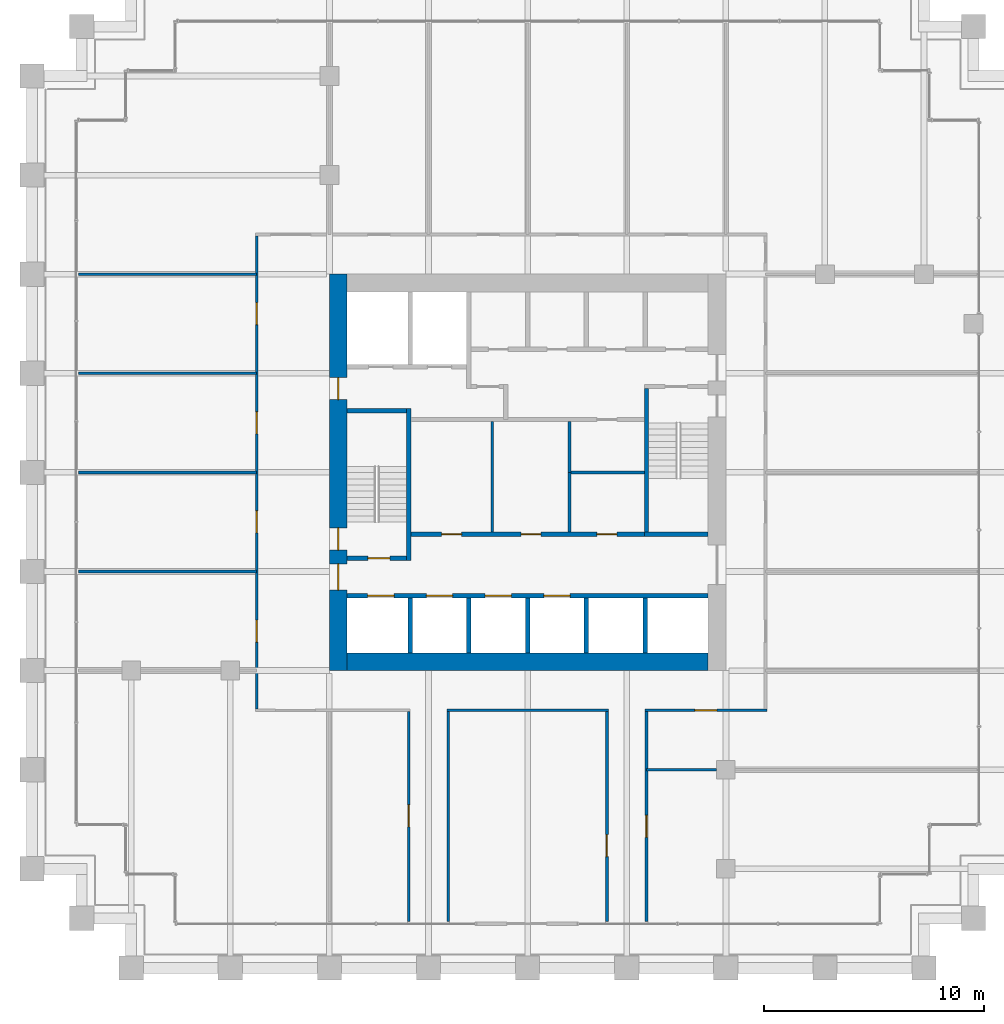
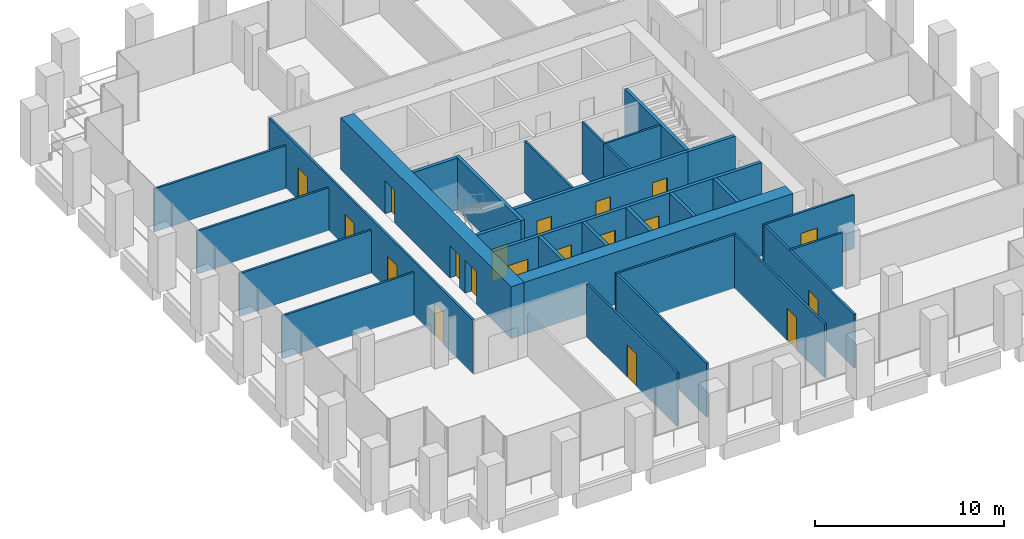
# One storey, part 50 of 56: 30 walls, 19 doors, 19 openings.
"""IFC4 building model written with IfcOpenShell, lengths in metres."""

from ifc_helpers import new_model, si_unit, direction, frame, frame_2d, origin, place, context, subcontext, project, spatial, rectangle, extrude, material, layer, layer_set, type_object, element, fill, save


model = new_model("IFC4")

# Units and contexts
model_context = context("Model", 3, precision=1e-05, world=origin(), true_north=direction((0.0, 1.0)))
body_context = subcontext(model_context, "Body", "Model", "MODEL_VIEW")
ifc_project = project(units=[si_unit("LENGTHUNIT", "METRE"), si_unit("AREAUNIT", "SQUARE_METRE"), si_unit("VOLUMEUNIT", "CUBIC_METRE"), si_unit("PLANEANGLEUNIT", "RADIAN"), si_unit("MASSUNIT", "GRAM", prefix="KILO")], contexts=[model_context])

# Site, building, storey
site_placement = place(None, origin())
site = spatial("IfcSite", under=ifc_project, at=site_placement, CompositionType="ELEMENT")
building_placement = place(site_placement, origin())
building = spatial("IfcBuilding", under=site, at=building_placement, Name="Altepetl Exchange Towers", CompositionType="ELEMENT")
storey_placement = place(building_placement, frame((0.0, 0.0, 76.199951171875)))
storey = spatial("IfcBuildingStorey", under=building, at=storey_placement, Name="L18", CompositionType="ELEMENT", Elevation=76.199951171875)

# Wall
ifc_material_1 = material(Name="Concrete C70/85", Category="concrete")
ifc_layer_1 = layer(ifc_material_1, 0.800048828125)
ifc_layer_set_1 = layer_set([ifc_layer_1], Name="Concrete C70/85")
wall_type_1 = type_object("IfcWallType", Name="Core wall 800 reinforced concrete", PredefinedType="SHEAR", material=ifc_layer_set_1)
wall_1_placement = place(storey_placement, frame((41.300048828125, 40.89990234375, 0.0)))
element("IfcWall", 1, at=wall_1_placement, inside=storey, type_object=wall_type_1, Name="wall:A:L18:K-coreS", PredefinedType="SHEAR", context=body_context, shape_type="SweptSolid", body=[
    extrude(rectangle(XDim=16.39990234375, YDim=0.800048828125, at=frame_2d((8.199951171875, 0.0))), origin(), (0.0, 0.0, 1.0), 3.35009765625),
])

# Wall, openings, doors
wall_2_placement = place(storey_placement, frame((40.89990234375, 40.5, 0.0), z_axis=(0.0, 0.0, 1.0), x_axis=(0.0, 1.0, 0.0)))
wall_2 = element("IfcWall", 2, at=wall_2_placement, inside=storey, type_object=wall_type_1, Name="wall:A:L18:K-coreW", PredefinedType="SHEAR", context=body_context, shape_type="SweptSolid", body=[
    extrude(rectangle(XDim=18.0, YDim=0.800048828125, at=frame_2d((9.0, 0.0))), origin(), (0.0, 0.0, 1.0), 3.35009765625),
])
opening_1_placement = place(wall_2_placement, frame((3.64990234375, 0.0, 0.0)))
opening_1 = element("IfcOpeningElement", 3, at=opening_1_placement, cuts=wall_2, Name="Opening L18.A62", PredefinedType="OPENING", context=body_context, shape_type="SweptSolid", body=[
    extrude(rectangle(XDim=1.199951171875, YDim=2.10009765625, at=frame_2d((0.60009765625, 1.050048828125))), frame((0.0, 0.41015625, 0.0), z_axis=(0.0, -1.0, 0.0), x_axis=(1.0, 0.0, 0.0)), (0.0, 0.0, 1.0), 0.820068359375),
])
opening_2_placement = place(wall_2_placement, frame((5.47509765625, 0.0, 0.0)))
opening_2 = element("IfcOpeningElement", 4, at=opening_2_placement, cuts=wall_2, Name="Opening L18.A64", PredefinedType="OPENING", context=body_context, shape_type="SweptSolid", body=[
    extrude(rectangle(XDim=1.0, YDim=2.10009765625, at=frame_2d((0.5, 1.050048828125))), frame((0.0, 0.41015625, 0.0), z_axis=(0.0, -1.0, 0.0), x_axis=(1.0, 0.0, 0.0)), (0.0, 0.0, 1.0), 0.820068359375),
])
opening_3_placement = place(wall_2_placement, frame((12.300048828125, 0.0, 0.0)))
opening_3 = element("IfcOpeningElement", 5, at=opening_3_placement, cuts=wall_2, Name="Opening L18.A68", PredefinedType="OPENING", context=body_context, shape_type="SweptSolid", body=[
    extrude(rectangle(XDim=1.0, YDim=2.10009765625, at=frame_2d((0.5, 1.050048828125))), frame((0.0, 0.41015625, 0.0), z_axis=(0.0, -1.0, 0.0), x_axis=(1.0, 0.0, 0.0)), (0.0, 0.0, 1.0), 0.820068359375),
])
ifc_material_2 = material(Name="Steel and timber fire door", Category="steel")
door_type_1 = type_object("IfcDoorType", Name="Fire door 1000 x 2100 stair and lobby", OperationType="SINGLE_SWING_LEFT", PredefinedType="DOOR", material=ifc_material_2)
door_1_placement = place(opening_2_placement, frame((1.0, 0.0, 0.0), x_axis=(-1.0, 0.0, 0.0)))
door_1 = element("IfcDoor", 6, at=door_1_placement, inside=storey, type_object=door_type_1, Name="door:A:L18:K-dS1x", OperationType="SINGLE_SWING_RIGHT", OverallHeight=2.10009765625, OverallWidth=1.0, PredefinedType="DOOR", context=body_context, shape_type="SweptSolid", body=[
    extrude(rectangle(XDim=1.0, YDim=2.10009765625, at=frame_2d((0.5, 1.050048828125))), frame((0.0, 0.02490234375, 0.0), z_axis=(0.0, -1.0, 0.0), x_axis=(1.0, 0.0, 0.0)), (0.0, 0.0, 1.0), 0.050048828125),
])
fill(opening_2, door_1)
door_2_placement = place(opening_3_placement, frame((1.0, 0.0, 0.0), x_axis=(-1.0, 0.0, 0.0)))
door_2 = element("IfcDoor", 7, at=door_2_placement, inside=storey, type_object=door_type_1, Name="door:A:L18:K-dffW", OperationType="SINGLE_SWING_LEFT", OverallHeight=2.10009765625, OverallWidth=1.0, PredefinedType="DOOR", context=body_context, shape_type="SweptSolid", body=[
    extrude(rectangle(XDim=1.0, YDim=2.10009765625, at=frame_2d((0.5, 1.050048828125))), frame((0.0, 0.02490234375, 0.0), z_axis=(0.0, -1.0, 0.0), x_axis=(1.0, 0.0, 0.0)), (0.0, 0.0, 1.0), 0.050048828125),
])
fill(opening_3, door_2)
door_type_2 = type_object("IfcDoorType", Name="Fire door 1200 x 2100 lobby entry", OperationType="SINGLE_SWING_LEFT", PredefinedType="DOOR", material=ifc_material_2)
door_3_placement = place(opening_1_placement, frame((1.199951171875, 0.0, 0.0), x_axis=(-1.0, 0.0, 0.0)))
door_3 = element("IfcDoor", 8, at=door_3_placement, inside=storey, type_object=door_type_2, Name="door:A:L18:K-dLSW", OperationType="SINGLE_SWING_LEFT", OverallHeight=2.10009765625, OverallWidth=1.199951171875, PredefinedType="DOOR", context=body_context, shape_type="SweptSolid", body=[
    extrude(rectangle(XDim=1.199951171875, YDim=2.10009765625, at=frame_2d((0.60009765625, 1.050048828125))), frame((0.0, 0.02490234375, 0.0), z_axis=(0.0, -1.0, 0.0), x_axis=(1.0, 0.0, 0.0)), (0.0, 0.0, 1.0), 0.050048828125),
])
fill(opening_1, door_3)

ifc_material_3 = material(Name="Concrete blockwork", Category="masonry")
ifc_layer_2 = layer(ifc_material_3, 0.199951171875)
ifc_layer_set_2 = layer_set([ifc_layer_2], Name="Concrete blockwork")
wall_type_2 = type_object("IfcWallType", Name="Lobby wall 200 blockwork", PredefinedType="PARTITIONING", material=ifc_layer_set_2)
wall_3_placement = place(storey_placement, frame((44.199951171875, 46.699951171875, 0.0)))
wall_3 = element("IfcWall", 9, at=wall_3_placement, inside=storey, type_object=wall_type_2, Name="wall:A:L18:K-zoneS", PredefinedType="PARTITIONING", context=body_context, shape_type="SweptSolid", body=[
    extrude(rectangle(XDim=10.60009765625, YDim=0.199951171875, at=frame_2d((5.300048828125, 0.0))), origin(), (0.0, 0.0, 1.0), 3.35009765625),
])
opening_4_placement = place(wall_3_placement, frame((1.39990234375, 0.0, 0.0)))
opening_4 = element("IfcOpeningElement", 10, at=opening_4_placement, cuts=wall_3, Name="Opening L18.A73", PredefinedType="OPENING", context=body_context, shape_type="SweptSolid", body=[
    extrude(rectangle(XDim=0.89990234375, YDim=2.10009765625, at=frame_2d((0.449951171875, 1.050048828125))), frame((0.0, 0.10986328125, 0.0), z_axis=(0.0, -1.0, 0.0), x_axis=(1.0, 0.0, 0.0)), (0.0, 0.0, 1.0), 0.219970703125),
])
opening_5_placement = place(wall_3_placement, frame((5.0, 0.0, 0.0)))
opening_5 = element("IfcOpeningElement", 11, at=opening_5_placement, cuts=wall_3, Name="Opening L18.A74", PredefinedType="OPENING", context=body_context, shape_type="SweptSolid", body=[
    extrude(rectangle(XDim=0.89990234375, YDim=2.10009765625, at=frame_2d((0.449951171875, 1.050048828125))), frame((0.0, 0.10986328125, 0.0), z_axis=(0.0, -1.0, 0.0), x_axis=(1.0, 0.0, 0.0)), (0.0, 0.0, 1.0), 0.219970703125),
])
opening_6_placement = place(wall_3_placement, frame((8.449951171875, 0.0, 0.0)))
opening_6 = element("IfcOpeningElement", 12, at=opening_6_placement, cuts=wall_3, Name="Opening L18.A75", PredefinedType="OPENING", context=body_context, shape_type="SweptSolid", body=[
    extrude(rectangle(XDim=0.89990234375, YDim=2.10009765625, at=frame_2d((0.449951171875, 1.050048828125))), frame((0.0, 0.10986328125, 0.0), z_axis=(0.0, -1.0, 0.0), x_axis=(1.0, 0.0, 0.0)), (0.0, 0.0, 1.0), 0.219970703125),
])
door_type_3 = type_object("IfcDoorType", Name="Fire door 900 x 2100 service room", OperationType="SINGLE_SWING_LEFT", PredefinedType="DOOR", material=ifc_material_2)
door_4_placement = place(opening_4_placement, origin())
door_4 = element("IfcDoor", 13, at=door_4_placement, inside=storey, type_object=door_type_3, Name="door:A:L18:K-dz1", OperationType="SINGLE_SWING_LEFT", OverallHeight=2.10009765625, OverallWidth=0.89990234375, PredefinedType="DOOR", context=body_context, shape_type="SweptSolid", body=[
    extrude(rectangle(XDim=0.89990234375, YDim=2.10009765625, at=frame_2d((0.449951171875, 1.050048828125))), frame((0.0, 0.02490234375, 0.0), z_axis=(0.0, -1.0, 0.0), x_axis=(1.0, 0.0, 0.0)), (0.0, 0.0, 1.0), 0.050048828125),
])
fill(opening_4, door_4)
door_5_placement = place(opening_5_placement, origin())
door_5 = element("IfcDoor", 14, at=door_5_placement, inside=storey, type_object=door_type_3, Name="door:A:L18:K-dz2", OperationType="SINGLE_SWING_RIGHT", OverallHeight=2.10009765625, OverallWidth=0.89990234375, PredefinedType="DOOR", context=body_context, shape_type="SweptSolid", body=[
    extrude(rectangle(XDim=0.89990234375, YDim=2.10009765625, at=frame_2d((0.449951171875, 1.050048828125))), frame((0.0, 0.02490234375, 0.0), z_axis=(0.0, -1.0, 0.0), x_axis=(1.0, 0.0, 0.0)), (0.0, 0.0, 1.0), 0.050048828125),
])
fill(opening_5, door_5)
door_6_placement = place(opening_6_placement, origin())
door_6 = element("IfcDoor", 15, at=door_6_placement, inside=storey, type_object=door_type_3, Name="door:A:L18:K-dz3", OperationType="SINGLE_SWING_RIGHT", OverallHeight=2.10009765625, OverallWidth=0.89990234375, PredefinedType="DOOR", context=body_context, shape_type="SweptSolid", body=[
    extrude(rectangle(XDim=0.89990234375, YDim=2.10009765625, at=frame_2d((0.449951171875, 1.050048828125))), frame((0.0, 0.02490234375, 0.0), z_axis=(0.0, -1.0, 0.0), x_axis=(1.0, 0.0, 0.0)), (0.0, 0.0, 1.0), 0.050048828125),
])
fill(opening_6, door_6)

# Walls
ifc_material_4 = material(Name="Gypsum board on steel studs", Category="steel")
ifc_layer_3 = layer(ifc_material_4, 0.125)
ifc_layer_set_3 = layer_set([ifc_layer_3], Name="Gypsum board on steel studs")
wall_type_3 = type_object("IfcWallType", Name="Partition 125 gypsum board on steel studs", PredefinedType="PARTITIONING", material=ifc_layer_set_3)
wall_4_placement = place(storey_placement, frame((47.89990234375, 46.800048828125, 0.0), z_axis=(0.0, 0.0, 1.0), x_axis=(0.0, 1.0, 0.0)))
element("IfcWall", 16, at=wall_4_placement, inside=storey, type_object=wall_type_3, Name="wall:A:L18:K-zp1", PredefinedType="PARTITIONING", context=body_context, shape_type="SweptSolid", body=[
    extrude(rectangle(XDim=5.0, YDim=0.125, at=frame_2d((2.5, 0.0))), origin(), (0.0, 0.0, 1.0), 3.35009765625),
])
wall_5_placement = place(storey_placement, frame((51.39990234375, 46.800048828125, 0.0), z_axis=(0.0, 0.0, 1.0), x_axis=(0.0, 1.0, 0.0)))
element("IfcWall", 17, at=wall_5_placement, inside=storey, type_object=wall_type_3, Name="wall:A:L18:K-zp2", PredefinedType="PARTITIONING", context=body_context, shape_type="SweptSolid", body=[
    extrude(rectangle(XDim=2.762451171875, YDim=0.125, at=frame_2d((1.38134765625, 0.0))), origin(), (0.0, 0.0, 1.0), 3.35009765625),
])
wall_6_placement = place(storey_placement, frame((54.800048828125, 49.5, 0.0), z_axis=(0.0, 0.0, 1.0), x_axis=(-1.0, 0.0, 0.0)))
element("IfcWall", 18, at=wall_6_placement, inside=storey, type_object=wall_type_3, Name="wall:A:L18:K-zp3", PredefinedType="PARTITIONING", context=body_context, shape_type="SweptSolid", body=[
    extrude(rectangle(XDim=3.337646484375, YDim=0.125, at=frame_2d((1.6689453125, 0.0))), origin(), (0.0, 0.0, 1.0), 3.35009765625),
])
wall_7_placement = place(storey_placement, frame((51.39990234375, 49.5, 0.0), z_axis=(0.0, 0.0, 1.0), x_axis=(0.0, 1.0, 0.0)))
element("IfcWall", 19, at=wall_7_placement, inside=storey, type_object=wall_type_3, Name="wall:A:L18:K-zp4", PredefinedType="PARTITIONING", context=body_context, shape_type="SweptSolid", body=[
    extrude(rectangle(XDim=2.300048828125, YDim=0.125, at=frame_2d((1.14990234375, 0.0))), origin(), (0.0, 0.0, 1.0), 3.35009765625),
])
wall_8_placement = place(storey_placement, frame((54.89990234375, 36.0, 0.0)))
element("IfcWall", 20, at=wall_8_placement, inside=storey, type_object=wall_type_3, Name="wall:A:L18:P01", PredefinedType="PARTITIONING", context=body_context, shape_type="SweptSolid", body=[
    extrude(rectangle(XDim=3.175048828125, YDim=0.125, at=frame_2d((1.58740234375, 0.0))), origin(), (0.0, 0.0, 1.0), 3.449951171875),
])
wall_9_placement = place(storey_placement, frame((45.83740234375, 38.699951171875, 0.0)))
element("IfcWall", 21, at=wall_9_placement, inside=storey, type_object=wall_type_3, Name="wall:A:L18:P04", PredefinedType="PARTITIONING", context=body_context, shape_type="SweptSolid", body=[
    extrude(rectangle(XDim=7.3251953125, YDim=0.125, at=frame_2d((3.66259765625, 0.0))), origin(), (0.0, 0.0, 1.0), 3.449951171875),
])

# Wall, opening, door
wall_10_placement = place(storey_placement, frame((54.83740234375, 38.699951171875, 0.0)))
wall_10 = element("IfcWall", 22, at=wall_10_placement, inside=storey, type_object=wall_type_3, Name="wall:A:L18:P05", PredefinedType="PARTITIONING", context=body_context, shape_type="SweptSolid", body=[
    extrude(rectangle(XDim=5.525146484375, YDim=0.125, at=frame_2d((2.7626953125, 0.0))), origin(), (0.0, 0.0, 1.0), 3.449951171875),
])
opening_7_placement = place(wall_10_placement, frame((2.262451171875, 0.0, 0.0)))
opening_7 = element("IfcOpeningElement", 23, at=opening_7_placement, cuts=wall_10, Name="Opening L18.A07", PredefinedType="OPENING", context=body_context, shape_type="SweptSolid", body=[
    extrude(rectangle(XDim=1.0, YDim=2.10009765625, at=frame_2d((0.5, 1.050048828125))), frame((0.0, 0.072509765625, 0.0), z_axis=(0.0, -1.0, 0.0), x_axis=(1.0, 0.0, 0.0)), (0.0, 0.0, 1.0), 0.14501953125),
])
door_type_4 = type_object("IfcDoorType", Name="Fire door 1000 x 2100 single leaf", OperationType="SINGLE_SWING_LEFT", PredefinedType="DOOR", material=ifc_material_2)
door_7_placement = place(opening_7_placement, frame((1.0, 0.0, 0.0), x_axis=(-1.0, 0.0, 0.0)))
door_7 = element("IfcDoor", 24, at=door_7_placement, inside=storey, type_object=door_type_4, Name="door:A:L18:07", OperationType="SINGLE_SWING_RIGHT", OverallHeight=2.10009765625, OverallWidth=1.0, PredefinedType="DOOR", context=body_context, shape_type="SweptSolid", body=[
    extrude(rectangle(XDim=1.0, YDim=2.10009765625, at=frame_2d((0.5, 1.050048828125))), frame((0.0, 0.02490234375, 0.0), z_axis=(0.0, -1.0, 0.0), x_axis=(1.0, 0.0, 0.0)), (0.0, 0.0, 1.0), 0.050048828125),
])
fill(opening_7, door_7)

# Walls
for number, where, name in (
    (25, (29.10009765625, 45.0, 0.0), "wall:A:L18:P10"),
    (26, (29.10009765625, 49.5, 0.0), "wall:A:L18:P12"),
    (27, (29.10009765625, 54.0, 0.0), "wall:A:L18:P14"),
    (28, (29.10009765625, 58.5, 0.0), "wall:A:L18:P16"),
):
    element("IfcWall", number, at=place(storey_placement, frame(where)), inside=storey, type_object=wall_type_3, Name=name, PredefinedType="PARTITIONING", context=body_context, shape_type="SweptSolid", body=[
        extrude(rectangle(XDim=8.099853515625, YDim=0.125, at=frame_2d((4.0498046875, 0.0))), origin(), (0.0, 0.0, 1.0), 2.76611328125),
    ])

# Wall, openings, doors
wall_11_placement = place(storey_placement, frame((37.199951171875, 38.762451171875, 0.0), z_axis=(0.0, 0.0, 1.0), x_axis=(0.0, 1.0, 0.0)))
wall_11 = element("IfcWall", 29, at=wall_11_placement, inside=storey, type_object=wall_type_3, Name="wall:A:L18:P21", PredefinedType="PARTITIONING", context=body_context, shape_type="SweptSolid", body=[
    extrude(rectangle(XDim=21.47509765625, YDim=0.125, at=frame_2d((10.737548828125, 0.0))), origin(), (0.0, 0.0, 1.0), 3.449951171875),
])
opening_8_placement = place(wall_11_placement, frame((7.987548828125, 0.0, 0.0)))
opening_8 = element("IfcOpeningElement", 30, at=opening_8_placement, cuts=wall_11, Name="Opening L18.A01", PredefinedType="OPENING", context=body_context, shape_type="SweptSolid", body=[
    extrude(rectangle(XDim=1.0, YDim=2.10009765625, at=frame_2d((0.5, 1.050048828125))), frame((0.0, 0.072509765625, 0.0), z_axis=(0.0, -1.0, 0.0), x_axis=(1.0, 0.0, 0.0)), (0.0, 0.0, 1.0), 0.14501953125),
])
opening_9_placement = place(wall_11_placement, frame((3.032470703125, 0.0, 0.0)))
opening_9 = element("IfcOpeningElement", 31, at=opening_9_placement, cuts=wall_11, Name="Opening L18.A02", PredefinedType="OPENING", context=body_context, shape_type="SweptSolid", body=[
    extrude(rectangle(XDim=1.0, YDim=2.10009765625, at=frame_2d((0.5, 1.050048828125))), frame((0.0, 0.072509765625, 0.0), z_axis=(0.0, -1.0, 0.0), x_axis=(1.0, 0.0, 0.0)), (0.0, 0.0, 1.0), 0.14501953125),
])
opening_10_placement = place(wall_11_placement, frame((17.4423828125, 0.0, 0.0)))
opening_10 = element("IfcOpeningElement", 32, at=opening_10_placement, cuts=wall_11, Name="Opening L18.A18", PredefinedType="OPENING", context=body_context, shape_type="SweptSolid", body=[
    extrude(rectangle(XDim=1.0, YDim=2.10009765625, at=frame_2d((0.5, 1.050048828125))), frame((0.0, 0.072509765625, 0.0), z_axis=(0.0, -1.0, 0.0), x_axis=(1.0, 0.0, 0.0)), (0.0, 0.0, 1.0), 0.14501953125),
])
opening_11_placement = place(wall_11_placement, frame((12.487548828125, 0.0, 0.0)))
opening_11 = element("IfcOpeningElement", 33, at=opening_11_placement, cuts=wall_11, Name="Opening L18.A19", PredefinedType="OPENING", context=body_context, shape_type="SweptSolid", body=[
    extrude(rectangle(XDim=1.0, YDim=2.10009765625, at=frame_2d((0.5, 1.050048828125))), frame((0.0, 0.072509765625, 0.0), z_axis=(0.0, -1.0, 0.0), x_axis=(1.0, 0.0, 0.0)), (0.0, 0.0, 1.0), 0.14501953125),
])
door_8_placement = place(opening_8_placement, origin())
door_8 = element("IfcDoor", 34, at=door_8_placement, inside=storey, type_object=door_type_4, Name="door:A:L18:01", OperationType="SINGLE_SWING_RIGHT", OverallHeight=2.10009765625, OverallWidth=1.0, PredefinedType="DOOR", context=body_context, shape_type="SweptSolid", body=[
    extrude(rectangle(XDim=1.0, YDim=2.10009765625, at=frame_2d((0.5, 1.050048828125))), frame((0.0, 0.02490234375, 0.0), z_axis=(0.0, -1.0, 0.0), x_axis=(1.0, 0.0, 0.0)), (0.0, 0.0, 1.0), 0.050048828125),
])
fill(opening_8, door_8)
door_9_placement = place(opening_9_placement, origin())
door_9 = element("IfcDoor", 35, at=door_9_placement, inside=storey, type_object=door_type_4, Name="door:A:L18:02", OperationType="SINGLE_SWING_LEFT", OverallHeight=2.10009765625, OverallWidth=1.0, PredefinedType="DOOR", context=body_context, shape_type="SweptSolid", body=[
    extrude(rectangle(XDim=1.0, YDim=2.10009765625, at=frame_2d((0.5, 1.050048828125))), frame((0.0, 0.02490234375, 0.0), z_axis=(0.0, -1.0, 0.0), x_axis=(1.0, 0.0, 0.0)), (0.0, 0.0, 1.0), 0.050048828125),
])
fill(opening_9, door_9)
door_10_placement = place(opening_10_placement, origin())
door_10 = element("IfcDoor", 36, at=door_10_placement, inside=storey, type_object=door_type_4, Name="door:A:L18:18", OperationType="SINGLE_SWING_LEFT", OverallHeight=2.10009765625, OverallWidth=1.0, PredefinedType="DOOR", context=body_context, shape_type="SweptSolid", body=[
    extrude(rectangle(XDim=1.0, YDim=2.10009765625, at=frame_2d((0.5, 1.050048828125))), frame((0.0, 0.02490234375, 0.0), z_axis=(0.0, -1.0, 0.0), x_axis=(1.0, 0.0, 0.0)), (0.0, 0.0, 1.0), 0.050048828125),
])
fill(opening_10, door_10)
door_11_placement = place(opening_11_placement, origin())
door_11 = element("IfcDoor", 37, at=door_11_placement, inside=storey, type_object=door_type_4, Name="door:A:L18:19", OperationType="SINGLE_SWING_RIGHT", OverallHeight=2.10009765625, OverallWidth=1.0, PredefinedType="DOOR", context=body_context, shape_type="SweptSolid", body=[
    extrude(rectangle(XDim=1.0, YDim=2.10009765625, at=frame_2d((0.5, 1.050048828125))), frame((0.0, 0.02490234375, 0.0), z_axis=(0.0, -1.0, 0.0), x_axis=(1.0, 0.0, 0.0)), (0.0, 0.0, 1.0), 0.050048828125),
])
fill(opening_11, door_11)

# Wall, opening, door
wall_12_placement = place(storey_placement, frame((44.10009765625, 29.10009765625, 0.0), z_axis=(0.0, 0.0, 1.0), x_axis=(0.0, 1.0, 0.0)))
wall_12 = element("IfcWall", 38, at=wall_12_placement, inside=storey, type_object=wall_type_3, Name="wall:A:L18:P26", PredefinedType="PARTITIONING", context=body_context, shape_type="SweptSolid", body=[
    extrude(rectangle(XDim=9.537353515625, YDim=0.125, at=frame_2d((4.7685546875, 0.0))), origin(), (0.0, 0.0, 1.0), 3.449951171875),
])
opening_12_placement = place(wall_12_placement, frame((4.300048828125, 0.0, 0.0)))
opening_12 = element("IfcOpeningElement", 39, at=opening_12_placement, cuts=wall_12, Name="Opening L18.A04", PredefinedType="OPENING", context=body_context, shape_type="SweptSolid", body=[
    extrude(rectangle(XDim=1.0, YDim=2.10009765625, at=frame_2d((0.5, 1.050048828125))), frame((0.0, 0.072509765625, 0.0), z_axis=(0.0, -1.0, 0.0), x_axis=(1.0, 0.0, 0.0)), (0.0, 0.0, 1.0), 0.14501953125),
])
door_12_placement = place(opening_12_placement, origin())
door_12 = element("IfcDoor", 40, at=door_12_placement, inside=storey, type_object=door_type_4, Name="door:A:L18:04", OperationType="SINGLE_SWING_LEFT", OverallHeight=2.10009765625, OverallWidth=1.0, PredefinedType="DOOR", context=body_context, shape_type="SweptSolid", body=[
    extrude(rectangle(XDim=1.0, YDim=2.10009765625, at=frame_2d((0.5, 1.050048828125))), frame((0.0, 0.02490234375, 0.0), z_axis=(0.0, -1.0, 0.0), x_axis=(1.0, 0.0, 0.0)), (0.0, 0.0, 1.0), 0.050048828125),
])
fill(opening_12, door_12)

# Wall
wall_13_placement = place(storey_placement, frame((45.89990234375, 29.10009765625, 0.0), z_axis=(0.0, 0.0, 1.0), x_axis=(0.0, 1.0, 0.0)))
element("IfcWall", 41, at=wall_13_placement, inside=storey, type_object=wall_type_3, Name="wall:A:L18:P28", PredefinedType="PARTITIONING", context=body_context, shape_type="SweptSolid", body=[
    extrude(rectangle(XDim=9.537353515625, YDim=0.125, at=frame_2d((4.7685546875, 0.0))), origin(), (0.0, 0.0, 1.0), 3.449951171875),
])

# Wall, opening, door
wall_14_placement = place(storey_placement, frame((53.10009765625, 29.10009765625, 0.0), z_axis=(0.0, 0.0, 1.0), x_axis=(0.0, 1.0, 0.0)))
wall_14 = element("IfcWall", 42, at=wall_14_placement, inside=storey, type_object=wall_type_3, Name="wall:A:L18:P30", PredefinedType="PARTITIONING", context=body_context, shape_type="SweptSolid", body=[
    extrude(rectangle(XDim=9.537353515625, YDim=0.125, at=frame_2d((4.7685546875, 0.0))), origin(), (0.0, 0.0, 1.0), 3.449951171875),
])
opening_13_placement = place(wall_14_placement, frame((2.952880859375, 0.0, 0.0)))
opening_13 = element("IfcOpeningElement", 43, at=opening_13_placement, cuts=wall_14, Name="Opening L18.A05", PredefinedType="OPENING", context=body_context, shape_type="SweptSolid", body=[
    extrude(rectangle(XDim=1.0, YDim=2.10009765625, at=frame_2d((0.5, 1.050048828125))), frame((0.0, 0.072509765625, 0.0), z_axis=(0.0, -1.0, 0.0), x_axis=(1.0, 0.0, 0.0)), (0.0, 0.0, 1.0), 0.14501953125),
])
door_13_placement = place(opening_13_placement, origin())
door_13 = element("IfcDoor", 44, at=door_13_placement, inside=storey, type_object=door_type_4, Name="door:A:L18:05", OperationType="SINGLE_SWING_RIGHT", OverallHeight=2.10009765625, OverallWidth=1.0, PredefinedType="DOOR", context=body_context, shape_type="SweptSolid", body=[
    extrude(rectangle(XDim=1.0, YDim=2.10009765625, at=frame_2d((0.5, 1.050048828125))), frame((0.0, 0.02490234375, 0.0), z_axis=(0.0, -1.0, 0.0), x_axis=(1.0, 0.0, 0.0)), (0.0, 0.0, 1.0), 0.050048828125),
])
fill(opening_13, door_13)

wall_15_placement = place(storey_placement, frame((54.89990234375, 29.10009765625, 0.0), z_axis=(0.0, 0.0, 1.0), x_axis=(0.0, 1.0, 0.0)))
wall_15 = element("IfcWall", 45, at=wall_15_placement, inside=storey, type_object=wall_type_3, Name="wall:A:L18:P32", PredefinedType="PARTITIONING", context=body_context, shape_type="SweptSolid", body=[
    extrude(rectangle(XDim=9.537353515625, YDim=0.125, at=frame_2d((4.7685546875, 0.0))), origin(), (0.0, 0.0, 1.0), 3.449951171875),
])
opening_14_placement = place(wall_15_placement, frame((3.824951171875, 0.0, 0.0)))
opening_14 = element("IfcOpeningElement", 46, at=opening_14_placement, cuts=wall_15, Name="Opening L18.A06", PredefinedType="OPENING", context=body_context, shape_type="SweptSolid", body=[
    extrude(rectangle(XDim=1.0, YDim=2.10009765625, at=frame_2d((0.5, 1.050048828125))), frame((0.0, 0.072509765625, 0.0), z_axis=(0.0, -1.0, 0.0), x_axis=(1.0, 0.0, 0.0)), (0.0, 0.0, 1.0), 0.14501953125),
])
door_14_placement = place(opening_14_placement, frame((1.0, 0.0, 0.0), x_axis=(-1.0, 0.0, 0.0)))
door_14 = element("IfcDoor", 47, at=door_14_placement, inside=storey, type_object=door_type_4, Name="door:A:L18:06", OperationType="SINGLE_SWING_RIGHT", OverallHeight=2.10009765625, OverallWidth=1.0, PredefinedType="DOOR", context=body_context, shape_type="SweptSolid", body=[
    extrude(rectangle(XDim=1.0, YDim=2.10009765625, at=frame_2d((0.5, 1.050048828125))), frame((0.0, 0.02490234375, 0.0), z_axis=(0.0, -1.0, 0.0), x_axis=(1.0, 0.0, 0.0)), (0.0, 0.0, 1.0), 0.050048828125),
])
fill(opening_14, door_14)

# Walls
ifc_material_5 = material(Name="Concrete C40/50", Category="concrete")
ifc_layer_4 = layer(ifc_material_5, 0.199951171875)
ifc_layer_set_4 = layer_set([ifc_layer_4], Name="Concrete C40/50")
wall_type_4 = type_object("IfcWallType", Name="Shaft wall 200 reinforced concrete", PredefinedType="SHEAR", material=ifc_layer_set_4)
for number, where, z_axis, x_axis, name in (
    (48, (44.166748046875, 41.300048828125, 0.0), (0.0, 0.0, 1.0), (0.0, 1.0, 0.0), "wall:A:L18:K-divS1"),
    (49, (46.833251953125, 41.300048828125, 0.0), (0.0, 0.0, 1.0), (0.0, 1.0, 0.0), "wall:A:L18:K-divS2"),
    (50, (49.5, 41.300048828125, 0.0), (0.0, 0.0, 1.0), (0.0, 1.0, 0.0), "wall:A:L18:K-divS3"),
    (51, (52.166748046875, 41.300048828125, 0.0), (0.0, 0.0, 1.0), (0.0, 1.0, 0.0), "wall:A:L18:K-divS4"),
    (52, (54.833251953125, 41.300048828125, 0.0), (0.0, 0.0, 1.0), (0.0, 1.0, 0.0), "wall:A:L18:K-divS5"),
):
    element("IfcWall", number, at=place(storey_placement, frame(where, z_axis=z_axis, x_axis=x_axis)), inside=storey, type_object=wall_type_4, Name=name, PredefinedType="SHEAR", context=body_context, shape_type="SweptSolid", body=[
        extrude(rectangle(XDim=2.5, YDim=0.199951171875, at=frame_2d((1.25, 0.0))), origin(), (0.0, 0.0, 1.0), 3.35009765625),
    ])

# Wall, openings, doors
wall_16_placement = place(storey_placement, frame((41.300048828125, 43.89990234375, 0.0)))
wall_16 = element("IfcWall", 53, at=wall_16_placement, inside=storey, type_object=wall_type_4, Name="wall:A:L18:K-frontS", PredefinedType="SHEAR", context=body_context, shape_type="SweptSolid", body=[
    extrude(rectangle(XDim=16.39990234375, YDim=0.199951171875, at=frame_2d((8.199951171875, 0.0))), origin(), (0.0, 0.0, 1.0), 3.35009765625),
])
opening_15_placement = place(wall_16_placement, frame((0.933349609375, 0.0, 0.0)))
opening_15 = element("IfcOpeningElement", 54, at=opening_15_placement, cuts=wall_16, Name="Opening L18.A79", PredefinedType="OPENING", context=body_context, shape_type="SweptSolid", body=[
    extrude(rectangle(XDim=1.199951171875, YDim=2.10009765625, at=frame_2d((0.60009765625, 1.050048828125))), frame((0.0, 0.10986328125, 0.0), z_axis=(0.0, -1.0, 0.0), x_axis=(1.0, 0.0, 0.0)), (0.0, 0.0, 1.0), 0.219970703125),
])
opening_16_placement = place(wall_16_placement, frame((3.60009765625, 0.0, 0.0)))
opening_16 = element("IfcOpeningElement", 55, at=opening_16_placement, cuts=wall_16, Name="Opening L18.A80", PredefinedType="OPENING", context=body_context, shape_type="SweptSolid", body=[
    extrude(rectangle(XDim=1.199951171875, YDim=2.10009765625, at=frame_2d((0.60009765625, 1.050048828125))), frame((0.0, 0.10986328125, 0.0), z_axis=(0.0, -1.0, 0.0), x_axis=(1.0, 0.0, 0.0)), (0.0, 0.0, 1.0), 0.219970703125),
])
opening_17_placement = place(wall_16_placement, frame((6.2666015625, 0.0, 0.0)))
opening_17 = element("IfcOpeningElement", 56, at=opening_17_placement, cuts=wall_16, Name="Opening L18.A81", PredefinedType="OPENING", context=body_context, shape_type="SweptSolid", body=[
    extrude(rectangle(XDim=1.199951171875, YDim=2.10009765625, at=frame_2d((0.60009765625, 1.050048828125))), frame((0.0, 0.10986328125, 0.0), z_axis=(0.0, -1.0, 0.0), x_axis=(1.0, 0.0, 0.0)), (0.0, 0.0, 1.0), 0.219970703125),
])
opening_18_placement = place(wall_16_placement, frame((8.933349609375, 0.0, 0.0)))
opening_18 = element("IfcOpeningElement", 57, at=opening_18_placement, cuts=wall_16, Name="Opening L18.A82", PredefinedType="OPENING", context=body_context, shape_type="SweptSolid", body=[
    extrude(rectangle(XDim=1.199951171875, YDim=2.10009765625, at=frame_2d((0.60009765625, 1.050048828125))), frame((0.0, 0.10986328125, 0.0), z_axis=(0.0, -1.0, 0.0), x_axis=(1.0, 0.0, 0.0)), (0.0, 0.0, 1.0), 0.219970703125),
])
ifc_material_6 = material(Name="Stainless steel", Category="steel")
door_type_5 = type_object("IfcDoorType", Name="Lift landing door 1200 x 2100", OperationType="SLIDING_TO_LEFT", PredefinedType="DOOR", material=ifc_material_6)
door_15_placement = place(opening_15_placement, origin())
door_15 = element("IfcDoor", 58, at=door_15_placement, inside=storey, type_object=door_type_5, Name="Landing door P1", OperationType="SLIDING_TO_LEFT", OverallHeight=2.10009765625, OverallWidth=1.199951171875, PredefinedType="DOOR", context=body_context, shape_type="SweptSolid", body=[
    extrude(rectangle(XDim=1.199951171875, YDim=2.10009765625, at=frame_2d((0.60009765625, 1.050048828125))), frame((0.0, 0.02490234375, 0.0), z_axis=(0.0, -1.0, 0.0), x_axis=(1.0, 0.0, 0.0)), (0.0, 0.0, 1.0), 0.050048828125),
])
fill(opening_15, door_15)
door_16_placement = place(opening_16_placement, origin())
door_16 = element("IfcDoor", 59, at=door_16_placement, inside=storey, type_object=door_type_5, Name="Landing door P2", OperationType="SLIDING_TO_LEFT", OverallHeight=2.10009765625, OverallWidth=1.199951171875, PredefinedType="DOOR", context=body_context, shape_type="SweptSolid", body=[
    extrude(rectangle(XDim=1.199951171875, YDim=2.10009765625, at=frame_2d((0.60009765625, 1.050048828125))), frame((0.0, 0.02490234375, 0.0), z_axis=(0.0, -1.0, 0.0), x_axis=(1.0, 0.0, 0.0)), (0.0, 0.0, 1.0), 0.050048828125),
])
fill(opening_16, door_16)
door_17_placement = place(opening_17_placement, origin())
door_17 = element("IfcDoor", 60, at=door_17_placement, inside=storey, type_object=door_type_5, Name="Landing door P3", OperationType="SLIDING_TO_LEFT", OverallHeight=2.10009765625, OverallWidth=1.199951171875, PredefinedType="DOOR", context=body_context, shape_type="SweptSolid", body=[
    extrude(rectangle(XDim=1.199951171875, YDim=2.10009765625, at=frame_2d((0.60009765625, 1.050048828125))), frame((0.0, 0.02490234375, 0.0), z_axis=(0.0, -1.0, 0.0), x_axis=(1.0, 0.0, 0.0)), (0.0, 0.0, 1.0), 0.050048828125),
])
fill(opening_17, door_17)
door_18_placement = place(opening_18_placement, origin())
door_18 = element("IfcDoor", 61, at=door_18_placement, inside=storey, type_object=door_type_5, Name="Landing door P4", OperationType="SLIDING_TO_LEFT", OverallHeight=2.10009765625, OverallWidth=1.199951171875, PredefinedType="DOOR", context=body_context, shape_type="SweptSolid", body=[
    extrude(rectangle(XDim=1.199951171875, YDim=2.10009765625, at=frame_2d((0.60009765625, 1.050048828125))), frame((0.0, 0.02490234375, 0.0), z_axis=(0.0, -1.0, 0.0), x_axis=(1.0, 0.0, 0.0)), (0.0, 0.0, 1.0), 0.050048828125),
])
fill(opening_18, door_18)

# Walls
ifc_layer_5 = layer(ifc_material_5, 0.199951171875)
ifc_layer_set_5 = layer_set([ifc_layer_5], Name="Concrete C40/50")
wall_type_5 = type_object("IfcWallType", Name="Stair wall 200 reinforced concrete", PredefinedType="SHEAR", material=ifc_layer_set_5)
wall_17_placement = place(storey_placement, frame((44.10009765625, 45.5, 0.0), z_axis=(0.0, 0.0, 1.0), x_axis=(0.0, 1.0, 0.0)))
element("IfcWall", 62, at=wall_17_placement, inside=storey, type_object=wall_type_5, Name="wall:A:L18:K-stS1E", PredefinedType="SHEAR", context=body_context, shape_type="SweptSolid", body=[
    extrude(rectangle(XDim=6.89990234375, YDim=0.199951171875, at=frame_2d((3.449951171875, 0.0))), origin(), (0.0, 0.0, 1.0), 3.35009765625),
])
wall_18_placement = place(storey_placement, frame((41.300048828125, 52.300048828125, 0.0)))
element("IfcWall", 63, at=wall_18_placement, inside=storey, type_object=wall_type_5, Name="wall:A:L18:K-stS1N", PredefinedType="SHEAR", context=body_context, shape_type="SweptSolid", body=[
    extrude(rectangle(XDim=2.699951171875, YDim=0.199951171875, at=frame_2d((1.35009765625, 0.0))), origin(), (0.0, 0.0, 1.0), 3.35009765625),
])

# Wall, opening, door
wall_19_placement = place(storey_placement, frame((41.300048828125, 45.60009765625, 0.0)))
wall_19 = element("IfcWall", 64, at=wall_19_placement, inside=storey, type_object=wall_type_5, Name="wall:A:L18:K-stS1S", PredefinedType="SHEAR", context=body_context, shape_type="SweptSolid", body=[
    extrude(rectangle(XDim=2.699951171875, YDim=0.199951171875, at=frame_2d((1.35009765625, 0.0))), origin(), (0.0, 0.0, 1.0), 3.35009765625),
])
opening_19_placement = place(wall_19_placement, frame((0.949951171875, 0.0, 0.0)))
opening_19 = element("IfcOpeningElement", 65, at=opening_19_placement, cuts=wall_19, Name="Opening L18.A63", PredefinedType="OPENING", context=body_context, shape_type="SweptSolid", body=[
    extrude(rectangle(XDim=1.0, YDim=2.10009765625, at=frame_2d((0.5, 1.050048828125))), frame((0.0, 0.10986328125, 0.0), z_axis=(0.0, -1.0, 0.0), x_axis=(1.0, 0.0, 0.0)), (0.0, 0.0, 1.0), 0.219970703125),
])
door_19_placement = place(opening_19_placement, origin())
door_19 = element("IfcDoor", 66, at=door_19_placement, inside=storey, type_object=door_type_1, Name="door:A:L18:K-dS1in", OperationType="SINGLE_SWING_RIGHT", OverallHeight=2.10009765625, OverallWidth=1.0, PredefinedType="DOOR", context=body_context, shape_type="SweptSolid", body=[
    extrude(rectangle(XDim=1.0, YDim=2.10009765625, at=frame_2d((0.5, 1.050048828125))), frame((0.0, 0.02490234375, 0.0), z_axis=(0.0, -1.0, 0.0), x_axis=(1.0, 0.0, 0.0)), (0.0, 0.0, 1.0), 0.050048828125),
])
fill(opening_19, door_19)

# Walls
wall_20_placement = place(storey_placement, frame((54.800048828125, 46.699951171875, 0.0)))
element("IfcWall", 67, at=wall_20_placement, inside=storey, type_object=wall_type_5, Name="wall:A:L18:K-stS2S", PredefinedType="SHEAR", context=body_context, shape_type="SweptSolid", body=[
    extrude(rectangle(XDim=2.89990234375, YDim=0.199951171875, at=frame_2d((1.449951171875, 0.0))), origin(), (0.0, 0.0, 1.0), 3.35009765625),
])
wall_21_placement = place(storey_placement, frame((54.89990234375, 46.800048828125, 0.0), z_axis=(0.0, 0.0, 1.0), x_axis=(0.0, 1.0, 0.0)))
element("IfcWall", 68, at=wall_21_placement, inside=storey, type_object=wall_type_5, Name="wall:A:L18:K-stS2W", PredefinedType="SHEAR", context=body_context, shape_type="SweptSolid", body=[
    extrude(rectangle(XDim=6.5, YDim=0.199951171875, at=frame_2d((3.25, 0.0))), origin(), (0.0, 0.0, 1.0), 3.35009765625),
])

save(model, "model.ifc")
